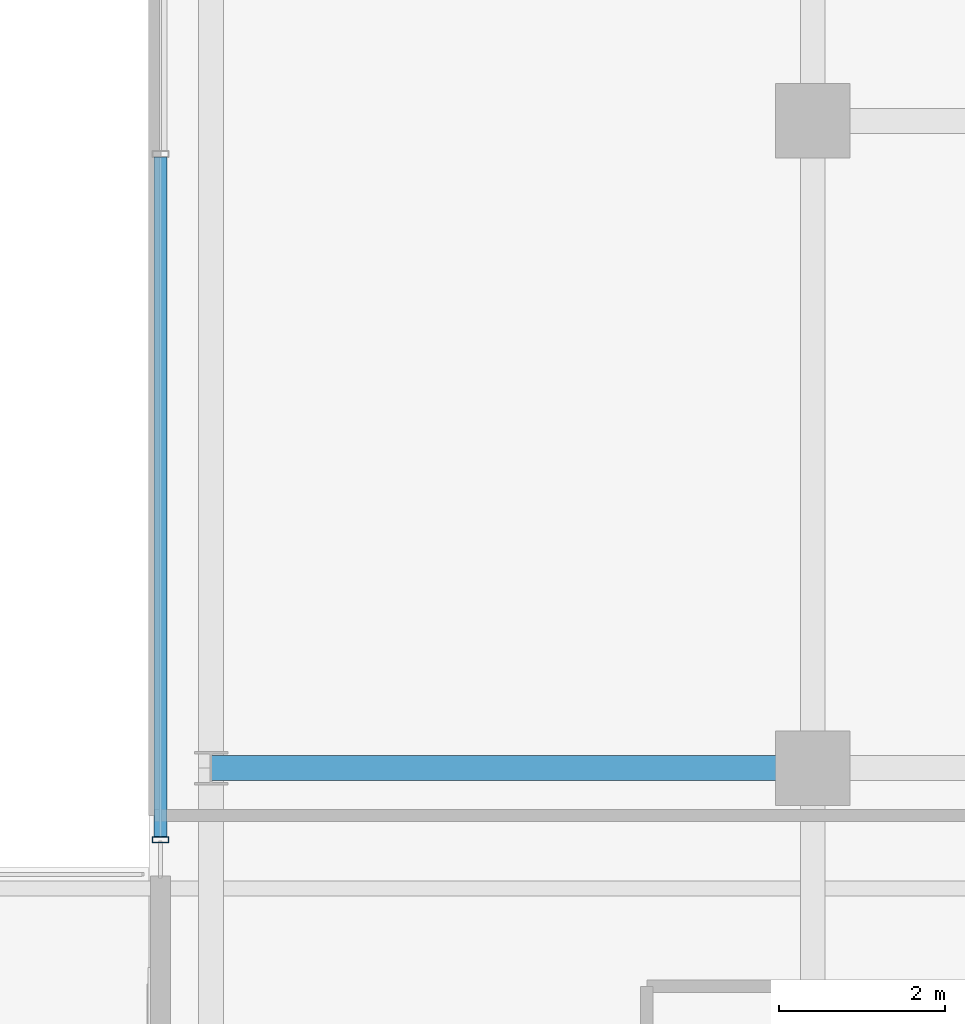
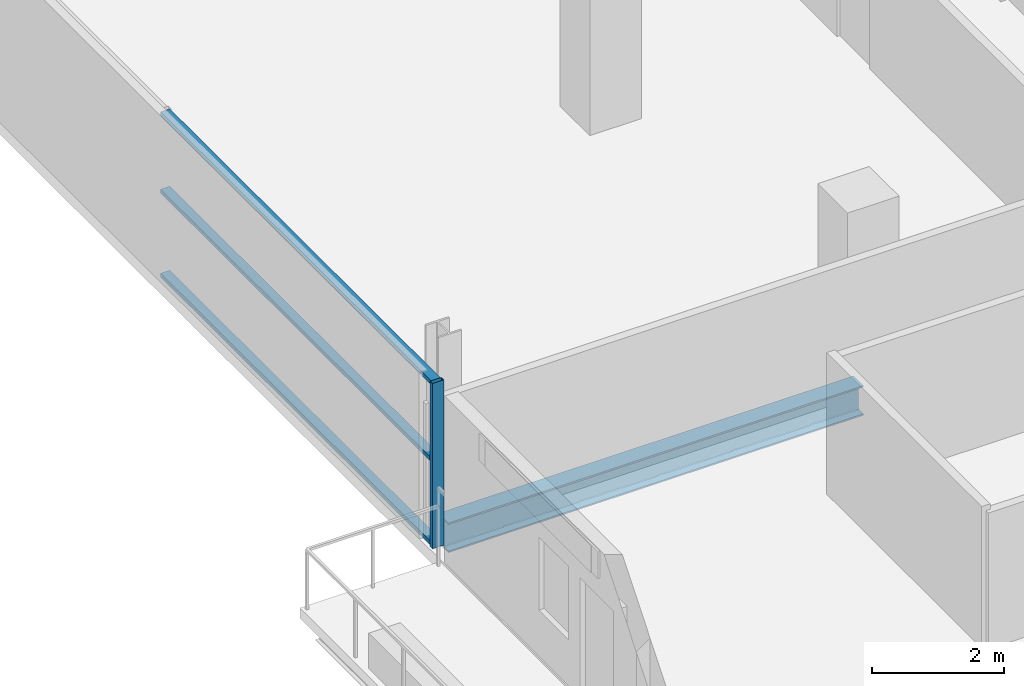
# One storey, part 6 of 27: 4 members, 1 beam, 1 element without a shape of its own.
"""IFC4 building model written with IfcOpenShell, lengths in metres."""

from ifc_helpers import new_model, si_unit, direction, frame, origin, origin_2d, place, context, subcontext, project, spatial, hollow_rectangle, i_section, extrude, source, transform, mapped, material, layer, layer_set, material_profile, profile_set, type_object, element, aggregate, save


model = new_model("IFC4")

# Units and contexts
model_context = context("Model", 3, precision=1e-05, world=origin(), true_north=direction((0.0, 1.0)))
body_context = subcontext(model_context, "Body", "Model", "MODEL_VIEW")
ifc_project = project(units=[si_unit("LENGTHUNIT", "METRE"), si_unit("AREAUNIT", "SQUARE_METRE"), si_unit("VOLUMEUNIT", "CUBIC_METRE"), si_unit("PLANEANGLEUNIT", "RADIAN"), si_unit("MASSUNIT", "GRAM", prefix="KILO")], contexts=[model_context])

# Site, building, storey
site_placement = place(None, origin())
site = spatial("IfcSite", under=ifc_project, at=site_placement, CompositionType="ELEMENT")
building_placement = place(site_placement, origin())
building = spatial("IfcBuilding", under=site, at=building_placement, Name="Zarnakvel Exchange Tower", CompositionType="ELEMENT")
storey_placement = place(building_placement, frame((0.0, 0.0, 96.699951171875)))
storey = spatial("IfcBuildingStorey", under=building, at=storey_placement, Name="L26", CompositionType="ELEMENT", Elevation=96.699951171875)

# Beam
ifc_material_1 = material(Name="Steel S355", Category="steel")
ifc_material_profile_1 = material_profile(ifc_material_1, i_section(OverallWidth=0.300048828125, OverallDepth=0.550048828125, WebThickness=0.014892578125, FlangeThickness=0.029052734375, FilletRadius=0.027099609375, at=origin_2d()))
ifc_profile_set_1 = profile_set([ifc_material_profile_1], Name="Steel S355")
beam_type = type_object("IfcBeamType", Name="G-05", PredefinedType="BEAM", material=ifc_profile_set_1)
beam_placement = place(storey_placement, frame((-28.85009765625, -1.199951171875, -0.5), z_axis=(1.0, 0.0, 0.0), x_axis=(0.0, 1.0, 0.0)))
element("IfcBeam", 1, at=beam_placement, inside=storey, type_object=beam_type, Name="L26 Tower E-W Frame Beam", PredefinedType="BEAM", context=body_context, shape_type="SweptSolid", body=[
    extrude(i_section(OverallWidth=0.300048828125, OverallDepth=0.550048828125, WebThickness=0.014892578125, FlangeThickness=0.029052734375, FilletRadius=0.027099609375, at=origin_2d()), origin(), (0.0, 0.0, 1.0), 7.25),
])

# Curtain wall, members
ifc_material_2 = material(Name="Architectural Bronze Anodised Aluminium", Category="aluminium")
ifc_layer = layer(ifc_material_2, 0.199951171875)
ifc_layer_set = layer_set([ifc_layer], Name="Architectural Bronze Anodised Aluminium")
curtain_wall_type = type_object("IfcCurtainWallType", Name="CW-04", PredefinedType="NOTDEFINED", material=ifc_layer_set)
curtain_wall_placement = place(storey_placement, origin())
curtain_wall = element("IfcCurtainWall", 2, at=curtain_wall_placement, inside=storey, type_object=curtain_wall_type, Name="L26 Curtain Wall CW-L26-WN (CW-04)", PredefinedType="NOTDEFINED")
ifc_material_profile_2 = material_profile(ifc_material_2, hollow_rectangle(XDim=0.199951171875, YDim=0.074951171875, WallThickness=0.0048828125, at=origin_2d()))
ifc_profile_set_2 = profile_set([ifc_material_profile_2], Name="Architectural Bronze Anodised Aluminium")
member_type_1 = type_object("IfcMemberType", Name="CWM-04", PredefinedType="MULLION", material=ifc_profile_set_2)
shared_shape_1 = source(origin(), body_context, "Body", "SweptSolid", [
    extrude(hollow_rectangle(XDim=0.199951171875, YDim=0.074951171875, WallThickness=0.0048828125, at=origin_2d()), origin(), (0.0, 0.0, 1.0), 3.054931640625),
])
member_1_placement = place(storey_placement, frame((-29.4599609375, -2.0625, 0.0), z_axis=(0.0, 0.0, 1.0), x_axis=(-1.0, 0.0, 0.0)))
member_1 = element("IfcMember", 3, at=member_1_placement, type_object=member_type_1, Name="CW-04 mullion 1", PredefinedType="MULLION", context=body_context, shape_type="MappedRepresentation", body=[
    mapped(shared_shape_1, transform((0.0, 0.0, 0.0), x_axis=(1.0, 0.0, 0.0), y_axis=(0.0, 1.0, 0.0), z_axis=(0.0, 0.0, 1.0), scale=1.0)),
])
ifc_material_profile_3 = material_profile(ifc_material_2, hollow_rectangle(XDim=0.159912109375, YDim=0.074951171875, WallThickness=0.00390625, at=origin_2d()))
ifc_profile_set_3 = profile_set([ifc_material_profile_3], Name="Architectural Bronze Anodised Aluminium")
member_type_2 = type_object("IfcMemberType", Name="CWT-04", PredefinedType="USERDEFINED", material=ifc_profile_set_3)
shared_shape_2 = source(origin(), body_context, "Body", "SweptSolid", [
    extrude(hollow_rectangle(XDim=0.159912109375, YDim=0.074951171875, WallThickness=0.00390625, at=origin_2d()), origin(), (0.0, 0.0, 1.0), 8.1875),
])
member_2_placement = place(storey_placement, frame((-29.4599609375, -2.02490234375, 0.03759765625), z_axis=(0.0, 1.0, 0.0), x_axis=(-1.0, 0.0, 0.0)))
member_2 = element("IfcMember", 4, at=member_2_placement, type_object=member_type_2, Name="CW-04 transom 1.1", ObjectType="TRANSOM", PredefinedType="USERDEFINED", context=body_context, shape_type="MappedRepresentation", body=[
    mapped(shared_shape_2, transform((0.0, 0.0, 0.0), x_axis=(1.0, 0.0, 0.0), y_axis=(0.0, 1.0, 0.0), z_axis=(0.0, 0.0, 1.0), scale=1.0)),
])
member_3_placement = place(storey_placement, frame((-29.4599609375, -2.02490234375, 1.588623046875), z_axis=(0.0, 1.0, 0.0), x_axis=(-1.0, 0.0, 0.0)))
member_3 = element("IfcMember", 5, at=member_3_placement, type_object=member_type_2, Name="CW-04 transom 1.2", ObjectType="TRANSOM", PredefinedType="USERDEFINED", context=body_context, shape_type="MappedRepresentation", body=[
    mapped(shared_shape_2, transform((0.0, 0.0, 0.0), x_axis=(1.0, 0.0, 0.0), y_axis=(0.0, 1.0, 0.0), z_axis=(0.0, 0.0, 1.0), scale=1.0)),
])
member_4_placement = place(storey_placement, frame((-29.4599609375, -2.02490234375, 3.017578125), z_axis=(0.0, 1.0, 0.0), x_axis=(-1.0, 0.0, 0.0)))
member_4 = element("IfcMember", 6, at=member_4_placement, type_object=member_type_2, Name="CW-04 transom 1.3", ObjectType="TRANSOM", PredefinedType="USERDEFINED", context=body_context, shape_type="MappedRepresentation", body=[
    mapped(shared_shape_2, transform((0.0, 0.0, 0.0), x_axis=(1.0, 0.0, 0.0), y_axis=(0.0, 1.0, 0.0), z_axis=(0.0, 0.0, 1.0), scale=1.0)),
])
aggregate(curtain_wall, [member_1, member_2, member_3, member_4])

save(model, "model.ifc")
